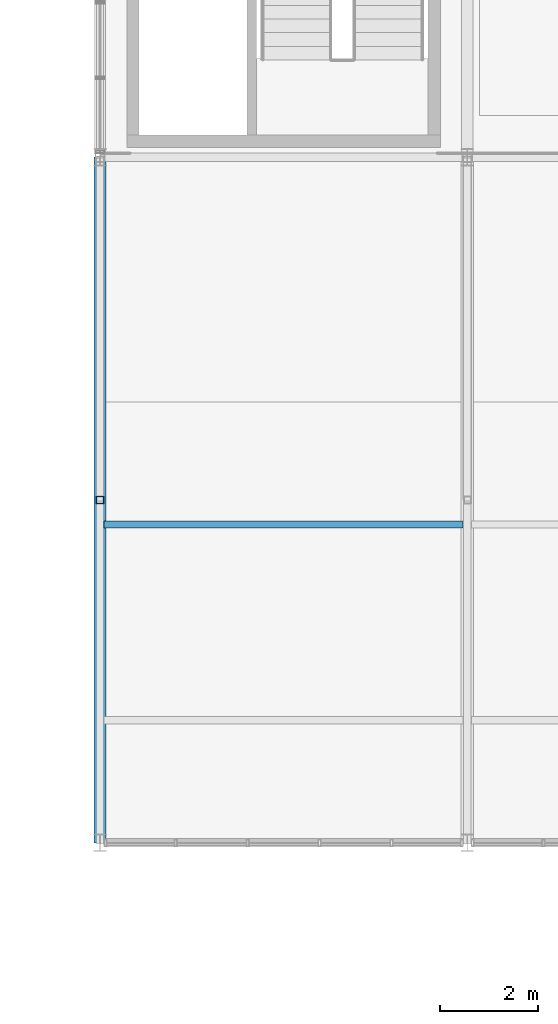
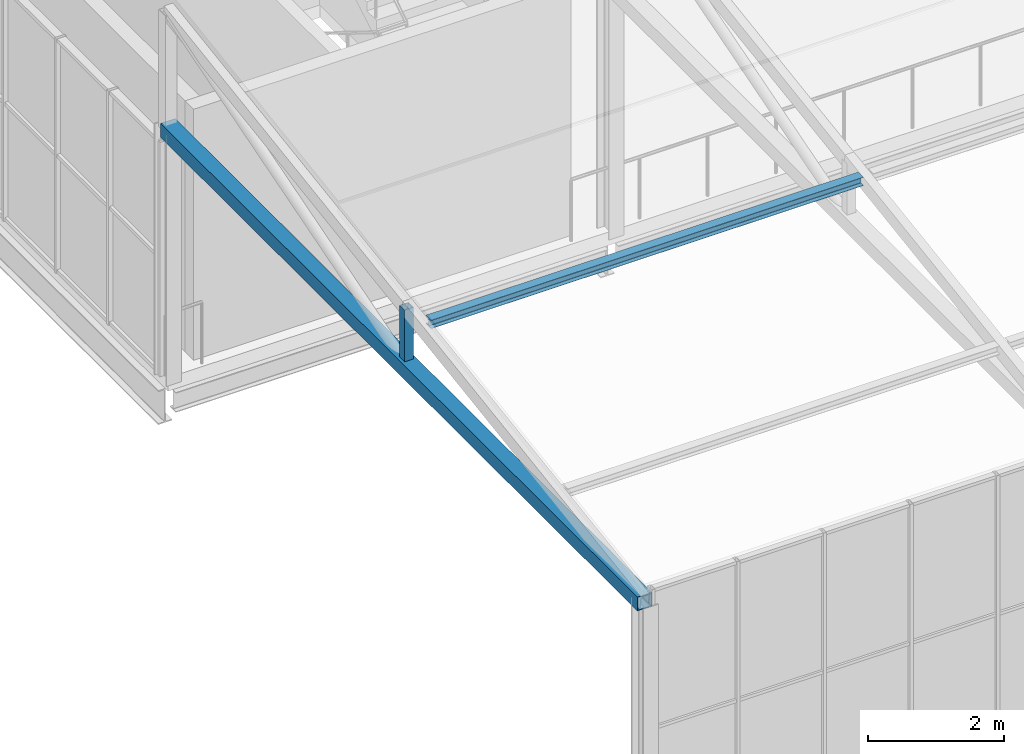
# One storey, part 32 of 104: 2 members, 1 beam.
"""IFC4 building model written with IfcOpenShell, lengths in metres."""

import ifcopenshell
import ifcopenshell.guid

model = None  # the IFC model being written
_history = None  # IfcOwnerHistory: only IFC2X3 demands one
_inside = {}  # id of a spatial element -> (the spatial element, [elements in it])
_under = {}  # id of a project, library or spatial element -> (it, [spatial elements below it])
_declared = {}  # id of a project -> (the project, [libraries it declares])
_typed = {}  # id of a type object -> (the type object, [elements of that type])
_made_of = {}  # id of a material, layer set ... -> (it, [elements and type objects made of it])


def new_model(schema):
    """Start an empty IFC model of exactly this schema.

    Asked for "IFC4X3", IfcOpenShell would pick the latest addendum, in which some entities
    have other attributes; the version numbers below select the first issue.
    IFC2X3 requires an IfcOwnerHistory on every rooted entity: one is made here for all.
    """
    global model, _history
    if schema == "IFC4X3":
        model = ifcopenshell.file(schema_version=(4, 3, 0, 0))
    else:
        model = ifcopenshell.file(schema=schema)
    _inside.clear()
    _under.clear()
    _declared.clear()
    _typed.clear()
    _made_of.clear()
    _history = None
    if model.schema == "IFC2X3":
        org = make("IfcOrganization", Name="unknown")
        user = make(
            "IfcPersonAndOrganization",
            ThePerson=make("IfcPerson", FamilyName="unknown"),
            TheOrganization=org,
        )
        app = make(
            "IfcApplication",
            ApplicationDeveloper=org,
            Version="unknown",
            ApplicationFullName="unknown",
            ApplicationIdentifier="unknown",
        )
        _history = make(
            "IfcOwnerHistory",
            OwningUser=user,
            OwningApplication=app,
            ChangeAction="ADDED",
            CreationDate=0,
        )
    return model


def make(cls, **values):
    """One entity of the class cls with the attributes given. An attribute that is None is left unset."""
    return model.create_entity(
        cls, **{name: value for name, value in values.items() if value is not None}
    )


def rooted(cls, **values):
    """An entity with a GlobalId (a new one), such as an element, a storey or a relation."""
    return make(cls, GlobalId=ifcopenshell.guid.new(), OwnerHistory=_history, **values)


def si_unit(unit_type, name, prefix=None):
    """IfcSIUnit, for example si_unit("LENGTHUNIT", "METRE", prefix="MILLI")."""
    return make("IfcSIUnit", UnitType=unit_type, Prefix=prefix, Name=name)


def assignment(units):
    """IfcUnitAssignment: the units of a project."""
    return None if units is None else make("IfcUnitAssignment", Units=units)


def point(xyz):
    """IfcCartesianPoint."""
    return None if xyz is None else make("IfcCartesianPoint", Coordinates=xyz)


def direction(xyz):
    """IfcDirection."""
    return None if xyz is None else make("IfcDirection", DirectionRatios=xyz)


def frame(location, z_axis=None, x_axis=None):
    """IfcAxis2Placement3D, a coordinate frame: its origin and axes. An axis left out is left unset."""
    return make(
        "IfcAxis2Placement3D",
        Location=point(location),
        Axis=direction(z_axis),
        RefDirection=direction(x_axis),
    )


def frame_2d(location, x_axis=None):
    """IfcAxis2Placement2D, a coordinate frame in the plane: its origin and x axis."""
    return make(
        "IfcAxis2Placement2D", Location=point(location), RefDirection=direction(x_axis)
    )


def origin():
    """The frame at (0, 0, 0) with its axes left unset."""
    return frame((0.0, 0.0, 0.0))


def origin_2d():
    """The frame at (0, 0) in the plane with its x axis left unset."""
    return frame_2d((0.0, 0.0))


def place(relative_to, where):
    """IfcLocalPlacement: puts the frame where relative to a parent placement (None: the world)."""
    return make(
        "IfcLocalPlacement", PlacementRelTo=relative_to, RelativePlacement=where
    )


def context(
    kind, dimensions, precision=None, world=None, true_north=None, identifier=None
):
    """IfcGeometricRepresentationContext, for example the 3D "Model" context."""
    return make(
        "IfcGeometricRepresentationContext",
        ContextIdentifier=identifier,
        ContextType=kind,
        CoordinateSpaceDimension=dimensions,
        Precision=precision,
        WorldCoordinateSystem=world,
        TrueNorth=true_north,
    )


def subcontext(parent, identifier, kind, view, scale=None):
    """IfcGeometricRepresentationSubContext, for example "Body" below "Model"."""
    return make(
        "IfcGeometricRepresentationSubContext",
        ContextIdentifier=identifier,
        ContextType=kind,
        ParentContext=parent,
        TargetScale=scale,
        TargetView=view,
    )


def project(units=None, contexts=None):
    """IfcProject with its units and contexts."""
    return rooted(
        "IfcProject",
        Name="project",
        RepresentationContexts=contexts,
        UnitsInContext=assignment(units),
    )


def spatial(cls, under=None, at=None, **own):
    """A site, building, storey or space (cls), placed at a placement, below another one or the project."""
    s = rooted(cls, ObjectPlacement=at, **own)
    if under is not None:
        _under.setdefault(under.id(), (under, []))[1].append(s)
    return s


def profile(cls, at=None, kind="AREA", **sizes):
    """A parametric profile (cls). Its sizes go by their IFC names, for example OverallWidth=200.0."""
    return make(cls, ProfileType=kind, Position=at, **sizes)


def hollow_rectangle(**sizes):
    """IfcRectangleHollowProfileDef."""
    return profile("IfcRectangleHollowProfileDef", **sizes)


def i_section(**sizes):
    """IfcIShapeProfileDef."""
    return profile("IfcIShapeProfileDef", **sizes)


def extrude(swept, where, along, depth):
    """IfcExtrudedAreaSolid: the profile swept, set in the frame where, extruded along a direction by depth."""
    return make(
        "IfcExtrudedAreaSolid",
        SweptArea=swept,
        Position=where,
        ExtrudedDirection=direction(along),
        Depth=depth,
    )


def shape(context_of_items, identifier, shape_type, items):
    """IfcShapeRepresentation: the items that make up one representation, for example the "Body"."""
    return make(
        "IfcShapeRepresentation",
        ContextOfItems=context_of_items,
        RepresentationIdentifier=identifier,
        RepresentationType=shape_type,
        Items=items,
    )


def material(Name=None, Category=None):
    """IfcMaterial."""
    return make("IfcMaterial", Name=Name, Category=Category)


def material_profile(
    of_material, cross_section, Name=None, Category=None, Priority=None
):
    """IfcMaterialProfile: a cross section and its material."""
    return make(
        "IfcMaterialProfile",
        Name=Name,
        Material=of_material,
        Profile=cross_section,
        Priority=Priority,
        Category=Category,
    )


def profile_set(profiles, Name=None, composite=None):
    """IfcMaterialProfileSet."""
    return make(
        "IfcMaterialProfileSet",
        Name=Name,
        MaterialProfiles=profiles,
        CompositeProfile=composite,
    )


def made_of(thing, what):
    """Note that an element or type object is made of a material, layer set ...; save() writes the relation."""
    if what is not None:
        _made_of.setdefault(what.id(), (what, []))[1].append(thing)
    return thing


def type_object(cls, material=None, **own):
    """A type object (cls), such as IfcWallType, which elements share."""
    return made_of(rooted(cls, **own), material)


def element(
    cls,
    number,
    at=None,
    inside=None,
    cuts=None,
    type_object=None,
    material=None,
    context=None,
    identifier="Body",
    shape_type=None,
    held_by="IfcProductDefinitionShape",
    body=None,
    shapes=None,
    **own,
):
    """One element of the class cls, such as IfcWall. Its Tag is "e" and its number.

    at: its placement. inside: the storey or other place that contains it. cuts: it is an
    opening in that element (IfcRelVoidsElement). A single representation is given by context,
    identifier, shape_type and body (its items); several are given by shapes. held_by: the class
    of the entity that holds the representations. save() writes the other relations.
    """
    e = rooted(cls, Tag="e%d" % number, ObjectPlacement=at, **own)
    if body is not None:
        shapes = [shape(context, identifier, shape_type, body)]
    if shapes is not None:
        e.Representation = make(held_by, Representations=shapes)
    if inside is not None:
        _inside.setdefault(inside.id(), (inside, []))[1].append(e)
    if cuts is not None:
        rooted(
            "IfcRelVoidsElement", RelatingBuildingElement=cuts, RelatedOpeningElement=e
        )
    if type_object is not None:
        _typed.setdefault(type_object.id(), (type_object, []))[1].append(e)
    return made_of(e, material)


def aggregate(whole, parts):
    """IfcRelAggregates: a whole, such as a stair, and the parts it consists of."""
    return rooted("IfcRelAggregates", RelatingObject=whole, RelatedObjects=parts)


def save(model, path):
    """Write the relations noted so far, then the file.

    IfcRelAggregates (storeys below a building ...), IfcRelContainedInSpatialStructure (elements
    in a storey), IfcRelDefinesByType, IfcRelAssociatesMaterial and IfcRelDeclares: one each for
    every whole, place, type object, material and project.
    """
    for whole, parts in _under.values():
        aggregate(whole, parts)
    for where, things in _inside.values():
        rooted(
            "IfcRelContainedInSpatialStructure",
            RelatedElements=things,
            RelatingStructure=where,
        )
    for kind, things in _typed.values():
        rooted("IfcRelDefinesByType", RelatedObjects=things, RelatingType=kind)
    for what, things in _made_of.values():
        rooted("IfcRelAssociatesMaterial", RelatedObjects=things, RelatingMaterial=what)
    for by, libraries in _declared.values():
        rooted("IfcRelDeclares", RelatingContext=by, RelatedDefinitions=libraries)
    model.write(path)


model = new_model("IFC4")

# Units and contexts
model_context = context("Model", 3, precision=1e-05, world=origin(), true_north=direction((0.0, 1.0)))
body_context = subcontext(model_context, "Body", "Model", "MODEL_VIEW")
ifc_project = project(units=[si_unit("LENGTHUNIT", "METRE"), si_unit("AREAUNIT", "SQUARE_METRE"), si_unit("VOLUMEUNIT", "CUBIC_METRE"), si_unit("PLANEANGLEUNIT", "RADIAN"), si_unit("MASSUNIT", "GRAM", prefix="KILO")], contexts=[model_context])

# Site, building, storey
site_placement = place(None, origin())
site = spatial("IfcSite", under=ifc_project, at=site_placement, CompositionType="ELEMENT")
building_placement = place(site_placement, origin())
building = spatial("IfcBuilding", under=site, at=building_placement, Name="Solvenia Promenade Tram Depot", CompositionType="ELEMENT")
storey_placement = place(building_placement, frame((0.0, 0.0, 9.0)))
storey = spatial("IfcBuildingStorey", under=building, at=storey_placement, Name="L02", CompositionType="ELEMENT", Elevation=9.0)

# Members
ifc_material_1 = material(Name="Structural steel ASTM A500 Gr. C", Category="steel")
ifc_material_profile_1 = material_profile(ifc_material_1, hollow_rectangle(XDim=0.25, YDim=0.25, WallThickness=0.010009765625, at=origin_2d()), Name="HSS250x250x10", Category="steel")
ifc_profile_set_1 = profile_set([ifc_material_profile_1], Name="Structural steel ASTM A500 Gr. C")
member_type_1 = type_object("IfcMemberType", Name="Chord-HSS250x250x10", PredefinedType="CHORD", material=ifc_profile_set_1)
member_1_placement = place(storey_placement, frame((105.0, 24.0, 4.47998046875), z_axis=(0.0, 1.0, 0.0), x_axis=(-1.0, 0.0, 0.0)))
element("IfcMember", 1, at=member_1_placement, inside=storey, type_object=member_type_1, Name="Crane Hall Truss Bottom Tie 01", PredefinedType="CHORD", context=body_context, shape_type="SweptSolid", body=[
    extrude(hollow_rectangle(XDim=0.25, YDim=0.25, WallThickness=0.010009765625, at=origin_2d()), origin(), (0.0, 0.0, 1.0), 14.0),
])
ifc_material_profile_2 = material_profile(ifc_material_1, hollow_rectangle(XDim=0.14990234375, YDim=0.14990234375, WallThickness=0.008056640625, at=origin_2d()), Name="HSS150x150x8", Category="steel")
ifc_profile_set_2 = profile_set([ifc_material_profile_2], Name="Structural steel ASTM A500 Gr. C")
member_type_2 = type_object("IfcMemberType", Name="Post-HSS150x150x8", PredefinedType="POST", material=ifc_profile_set_2)
member_2_placement = place(storey_placement, frame((105.0, 31.0, 4.47998046875), z_axis=(0.0, 0.0, 1.0), x_axis=(1.0, 0.0, 0.0)))
element("IfcMember", 2, at=member_2_placement, inside=storey, type_object=member_type_2, Name="Crane Hall Mid Web Post 01", PredefinedType="POST", context=body_context, shape_type="SweptSolid", body=[
    extrude(hollow_rectangle(XDim=0.14990234375, YDim=0.14990234375, WallThickness=0.008056640625, at=origin_2d()), origin(), (0.0, 0.0, 1.0), 1.050048828125),
])

# Beam
ifc_material_2 = material(Name="Structural steel ASTM A992 Gr. 50", Category="steel")
ifc_material_profile_3 = material_profile(ifc_material_2, i_section(OverallWidth=0.152099609375, OverallDepth=0.152099609375, WebThickness=0.005859375, FlangeThickness=0.006591796875, FilletRadius=0.008056640625, at=origin_2d()), Name="W150x22", Category="steel")
ifc_profile_set_3 = profile_set([ifc_material_profile_3], Name="Structural steel ASTM A992 Gr. 50")
beam_type = type_object("IfcBeamType", Name="Purlin-W150x22", PredefinedType="USERDEFINED", material=ifc_profile_set_3)
beam_placement = place(storey_placement, frame((105.0849609375, 30.5, 5.52001953125), z_axis=(1.0, 0.0, 0.0), x_axis=(0.0, 1.0, 0.0)))
element("IfcBeam", 3, at=beam_placement, inside=storey, type_object=beam_type, Name="Clerestory Purlin 0202", ObjectType="PURLIN", PredefinedType="USERDEFINED", context=body_context, shape_type="SweptSolid", body=[
    extrude(i_section(OverallWidth=0.152099609375, OverallDepth=0.152099609375, WebThickness=0.005859375, FlangeThickness=0.006591796875, FilletRadius=0.008056640625, at=origin_2d()), origin(), (0.0, 0.0, 1.0), 7.330078125),
])

save(model, "model.ifc")
